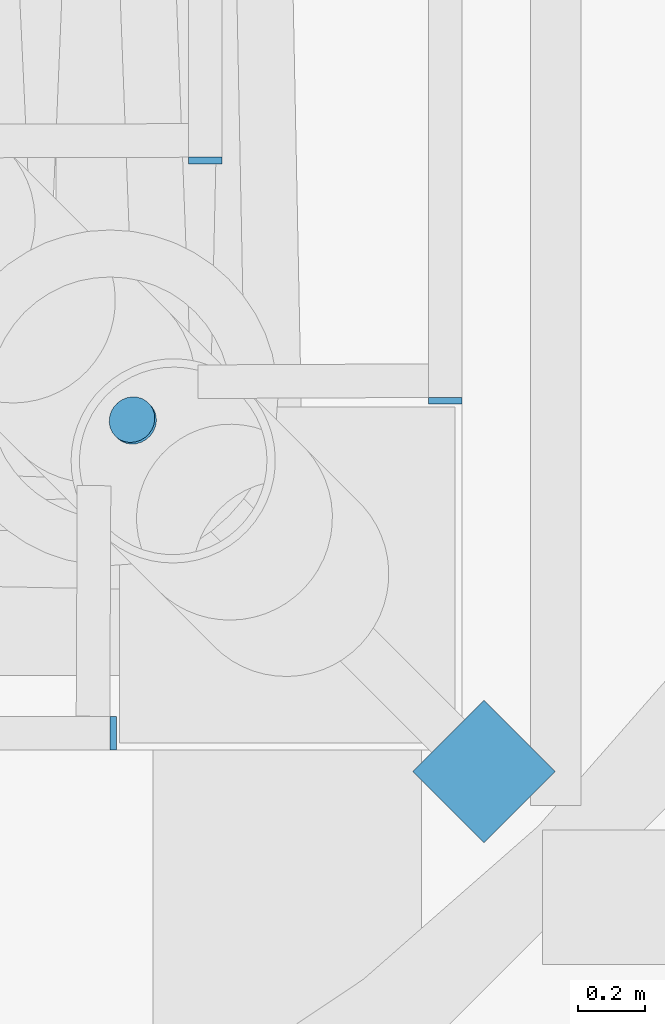
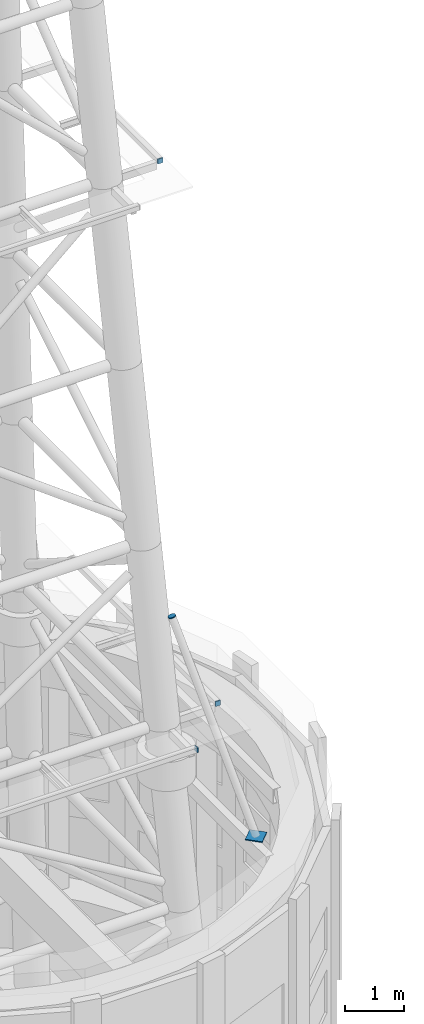
# One storey, part 28 of 36: 5 discrete accessories.
"""IFC4 building model written with IfcOpenShell, lengths in metres."""

from ifc_helpers import new_model, si_unit, direction, frame, origin, origin_2d, place, context, subcontext, project, spatial, rectangle, circle, extrude, material, material_profile, profile_set, type_object, element, save


model = new_model("IFC4")

# Units and contexts
model_context = context("Model", 3, precision=1e-05, world=origin(), true_north=direction((0.0, 1.0)))
body_context = subcontext(model_context, "Body", "Model", "MODEL_VIEW")
ifc_project = project(units=[si_unit("LENGTHUNIT", "METRE"), si_unit("AREAUNIT", "SQUARE_METRE"), si_unit("VOLUMEUNIT", "CUBIC_METRE"), si_unit("PLANEANGLEUNIT", "RADIAN"), si_unit("MASSUNIT", "GRAM", prefix="KILO")], contexts=[model_context])

# Site, building, storey
site_placement = place(None, origin())
site = spatial("IfcSite", under=ifc_project, at=site_placement, CompositionType="ELEMENT")
building_placement = place(site_placement, origin())
building = spatial("IfcBuilding", under=site, at=building_placement, Name="Ipe Terrace Towers", CompositionType="ELEMENT")
storey_placement = place(building_placement, frame((0.0, 0.0, 264.89990234375)))
storey = spatial("IfcBuildingStorey", under=building, at=storey_placement, Name="Roof", CompositionType="ELEMENT", Elevation=264.89990234375)

# Discrete accessories
ifc_material_1 = material(Name="Steel S355", Category="steel")
ifc_material_profile_1 = material_profile(ifc_material_1, rectangle(XDim=0.10009765625, YDim=0.10009765625, at=origin_2d()), Name="MAST END PLATE 100 x 100 x 20")
ifc_profile_set_1 = profile_set([ifc_material_profile_1], Name="Steel S355")
discrete_accessory_type_1 = type_object("IfcDiscreteAccessoryType", Name="MAST END PLATE 100 x 100 x 20", PredefinedType="BRACKET", material=ifc_profile_set_1)
for number, where, z_axis, x_axis, name in (
    (1, (39.470947265625, -2.470947265625, 10.2470703125), (0.0, -1.0, 0.0), (1.0, 0.0, 0.0), "mast end plate"),
    (2, (38.470947265625, -3.470947265625, 10.2470703125), (1.0, 0.0, 0.0), (0.0, 1.0, 0.0), "mast end plate"),
    (3, (38.7548828125, -1.7548828125, 21.31005859375), (0.0, -1.0, 0.0), (1.0, 0.0, 0.0), "mast end plate"),
):
    element("IfcDiscreteAccessory", number, at=place(storey_placement, frame(where, z_axis=z_axis, x_axis=x_axis)), inside=storey, type_object=discrete_accessory_type_1, Name=name, PredefinedType="BRACKET", context=body_context, shape_type="SweptSolid", body=[
        extrude(rectangle(XDim=0.10009765625, YDim=0.10009765625, at=origin_2d()), origin(), (0.0, 0.0, 1.0), 0.02001953125),
    ])
ifc_material_2 = material(Name="Steel S355", Category="steel")
ifc_material_profile_2 = material_profile(ifc_material_2, circle(Radius=0.070068359375, at=origin_2d()), Name="MAST END PLATE 140 DIA x 20")
ifc_profile_set_2 = profile_set([ifc_material_profile_2], Name="Steel S355")
discrete_accessory_type_2 = type_object("IfcDiscreteAccessoryType", Name="MAST END PLATE 140 DIA x 20", PredefinedType="BRACKET", material=ifc_profile_set_2)
discrete_accessory_1_placement = place(storey_placement, frame((38.5419921875, -2.5419921875, 12.403076171875), z_axis=(-0.241051348201, 0.241051348201, 0.940100257984), x_axis=(-0.707106781187, -0.707106781187, 0.0)))
element("IfcDiscreteAccessory", 4, at=discrete_accessory_1_placement, inside=storey, type_object=discrete_accessory_type_2, Name="mast end plate", PredefinedType="BRACKET", context=body_context, shape_type="SweptSolid", body=[
    extrude(circle(Radius=0.070068359375, at=origin_2d()), origin(), (0.0, 0.0, 1.0), 0.020263671875),
])
ifc_material_3 = material(Name="Steel S355", Category="steel")
discrete_accessory_type_3 = type_object("IfcDiscreteAccessoryType", Name="MAST STAY BASE PLATE 300 x 300 x 20", PredefinedType="BRACKET", material=ifc_material_3)
discrete_accessory_2_placement = place(storey_placement, frame((39.5859375, -3.5859375, 8.110107421875), z_axis=(0.0, 0.0, 1.0), x_axis=(-0.707106781187, 0.707106781187, 0.0)))
element("IfcDiscreteAccessory", 5, at=discrete_accessory_2_placement, inside=storey, type_object=discrete_accessory_type_3, Name="mast stay base plate", PredefinedType="BRACKET", context=body_context, shape_type="SweptSolid", body=[
    extrude(rectangle(XDim=0.300048828125, YDim=0.300048828125, at=origin_2d()), origin(), (0.0, 0.0, 1.0), 0.02001953125),
])

save(model, "model.ifc")
